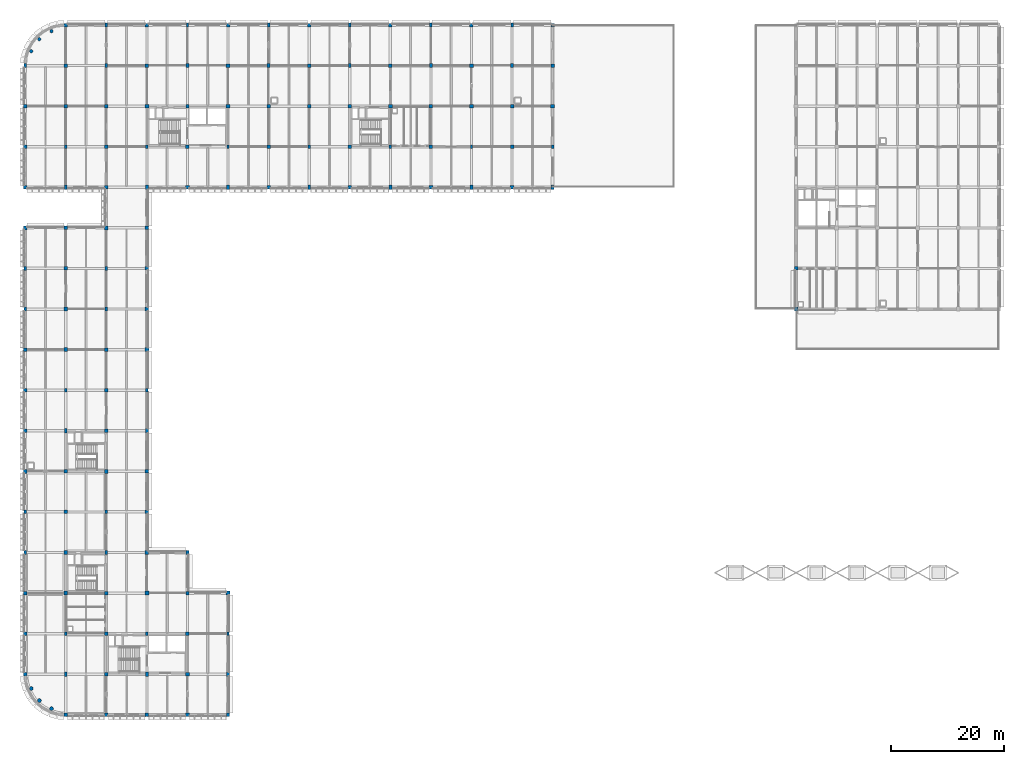
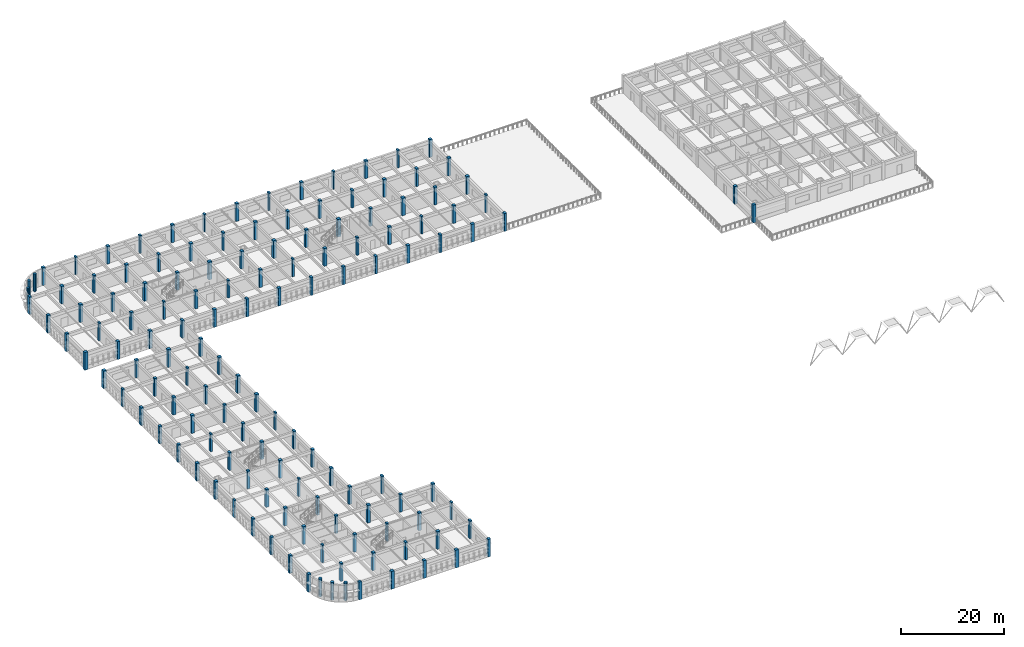
# One storey, part 1 of 38: 137 columns.
"""IFC4 building model written with IfcOpenShell, lengths in metres."""

from ifc_helpers import new_model, si_unit, direction, frame, origin, origin_2d, place, context, subcontext, project, spatial, rectangle, circle, extrude, material, material_profile, profile_set, type_object, element, save


model = new_model("IFC4")

# Units and contexts
model_context = context("Model", 3, precision=1e-05, world=origin(), true_north=direction((0.0, 1.0)))
body_context = subcontext(model_context, "Body", "Model", "MODEL_VIEW")
ifc_project = project(units=[si_unit("LENGTHUNIT", "METRE"), si_unit("AREAUNIT", "SQUARE_METRE"), si_unit("VOLUMEUNIT", "CUBIC_METRE"), si_unit("PLANEANGLEUNIT", "RADIAN"), si_unit("MASSUNIT", "GRAM", prefix="KILO")], contexts=[model_context])

# Site, building, storey
site_placement = place(None, origin())
site = spatial("IfcSite", under=ifc_project, at=site_placement, CompositionType="ELEMENT")
building_placement = place(site_placement, origin())
building = spatial("IfcBuilding", under=site, at=building_placement, Name="Thalmaran Polytechnic", CompositionType="ELEMENT")
storey_placement = place(building_placement, frame((0.0, 0.0, 18.60009765625)))
storey = spatial("IfcBuildingStorey", under=building, at=storey_placement, Name="L04", CompositionType="ELEMENT", Elevation=18.60009765625)

# Columns
ifc_material = material(Name="Concrete C40/50", Category="concrete")
ifc_material_profile_1 = material_profile(ifc_material, rectangle(XDim=0.64990234375, YDim=0.64990234375, at=origin_2d()), Name="RC 650x650")
ifc_profile_set_1 = profile_set([ifc_material_profile_1], Name="Concrete C40/50")
column_type_1 = type_object("IfcColumnType", Name="COL-C06", PredefinedType="COLUMN", material=ifc_profile_set_1)
for number, where, z_axis, x_axis, name in (
    (1, (0.0, 7.199951171875, 0.0), (0.0, 0.0, 1.0), (1.0, 0.0, 0.0), "Column C06 L04 (0,1)"),
    (2, (0.0, 50.39990234375, 0.0), (0.0, 0.0, 1.0), (1.0, 0.0, 0.0), "Column C06 L04 (0,7)"),
    (3, (0.0, 93.60009765625, 0.0), (0.0, 0.0, 1.0), (1.0, 0.0, 0.0), "Column C06 L04 (0,13)"),
    (4, (7.199951171875, 28.800048828125, 0.0), (0.0, 0.0, 1.0), (1.0, 0.0, 0.0), "Column C06 L04 (1,4)"),
    (5, (7.199951171875, 72.0, 0.0), (0.0, 0.0, 1.0), (1.0, 0.0, 0.0), "Column C06 L04 (1,10)"),
    (6, (7.199951171875, 115.199951171875, 0.0), (0.0, 0.0, 1.0), (1.0, 0.0, 0.0), "Column C06 L04 (1,16)"),
    (7, (14.39990234375, 7.199951171875, 0.0), (0.0, 0.0, 1.0), (1.0, 0.0, 0.0), "Column C06 L04 (2,1)"),
    (8, (14.39990234375, 50.39990234375, 0.0), (0.0, 0.0, 1.0), (1.0, 0.0, 0.0), "Column C06 L04 (2,7)"),
    (9, (14.39990234375, 93.60009765625, 0.0), (0.0, 0.0, 1.0), (1.0, 0.0, 0.0), "Column C06 L04 (2,13)"),
    (10, (21.60009765625, 28.800048828125, 0.0), (0.0, 0.0, 1.0), (1.0, 0.0, 0.0), "Column C06 L04 (3,4)"),
    (11, (21.60009765625, 72.0, 0.0), (0.0, 0.0, 1.0), (1.0, 0.0, 0.0), "Column C06 L04 (3,10)"),
    (12, (21.60009765625, 115.199951171875, 0.0), (0.0, 0.0, 1.0), (1.0, 0.0, 0.0), "Column C06 L04 (3,16)"),
    (13, (28.800048828125, 7.199951171875, 0.0), (0.0, 0.0, 1.0), (1.0, 0.0, 0.0), "Column C06 L04 (4,1)"),
    (14, (28.800048828125, 93.60009765625, 0.0), (0.0, 0.0, 1.0), (1.0, 0.0, 0.0), "Column C06 L04 (4,13)"),
    (15, (36.0, 115.199951171875, 0.0), (0.0, 0.0, 1.0), (1.0, 0.0, 0.0), "Column C06 L04 (5,16)"),
    (16, (43.199951171875, 93.60009765625, 0.0), (0.0, 0.0, 1.0), (1.0, 0.0, 0.0), "Column C06 L04 (6,13)"),
    (17, (50.39990234375, 115.199951171875, 0.0), (0.0, 0.0, 1.0), (1.0, 0.0, 0.0), "Column C06 L04 (7,16)"),
    (18, (57.60009765625, 93.60009765625, 0.0), (0.0, 0.0, 1.0), (1.0, 0.0, 0.0), "Column C06 L04 (8,13)"),
    (19, (64.800048828125, 115.199951171875, 0.0), (0.0, 0.0, 1.0), (1.0, 0.0, 0.0), "Column C06 L04 (9,16)"),
    (20, (72.0, 93.60009765625, 0.0), (0.0, 0.0, 1.0), (1.0, 0.0, 0.0), "Column C06 L04 (10,13)"),
    (21, (79.199951171875, 115.199951171875, 0.0), (0.0, 0.0, 1.0), (1.0, 0.0, 0.0), "Column C06 L04 (11,16)"),
    (22, (86.39990234375, 93.60009765625, 0.0), (0.0, 0.0, 1.0), (1.0, 0.0, 0.0), "Column C06 L04 (12,13)"),
    (23, (93.60009765625, 115.199951171875, 0.0), (0.0, 0.0, 1.0), (1.0, 0.0, 0.0), "Column C06 L04 (13,16)"),
    (24, (136.800048828125, 72.0, 0.0), (0.0, 0.0, 1.0), (1.0, 0.0, 0.0), "Column C06 L04 (19,10)"),
):
    element("IfcColumn", number, at=place(storey_placement, frame(where, z_axis=z_axis, x_axis=x_axis)), inside=storey, type_object=column_type_1, Name=name, PredefinedType="COLUMN", context=body_context, shape_type="SweptSolid", body=[
        extrude(rectangle(XDim=0.64990234375, YDim=0.64990234375, at=origin_2d()), origin(), (0.0, 0.0, 1.0), 4.199951171875),
    ])
ifc_material_profile_2 = material_profile(ifc_material, rectangle(XDim=0.60009765625, YDim=0.60009765625, at=origin_2d()), Name="RC 600x600")
ifc_profile_set_2 = profile_set([ifc_material_profile_2], Name="Concrete C40/50")
column_type_2 = type_object("IfcColumnType", Name="COL-C07", PredefinedType="COLUMN", material=ifc_profile_set_2)
for number, where, z_axis, x_axis, name in (
    (25, (0.0, 21.60009765625, 0.0), (0.0, 0.0, 1.0), (1.0, 0.0, 0.0), "Column C07 L04 (0,3)"),
    (26, (0.0, 64.800048828125, 0.0), (0.0, 0.0, 1.0), (1.0, 0.0, 0.0), "Column C07 L04 (0,9)"),
    (27, (0.0, 108.0, 0.0), (0.0, 0.0, 1.0), (1.0, 0.0, 0.0), "Column C07 L04 (0,15)"),
    (28, (7.199951171875, 0.0, 0.0), (0.0, 0.0, 1.0), (1.0, 0.0, 0.0), "Column C07 L04 (1,0)"),
    (29, (7.199951171875, 43.199951171875, 0.0), (0.0, 0.0, 1.0), (1.0, 0.0, 0.0), "Column C07 L04 (1,6)"),
    (30, (7.199951171875, 86.39990234375, 0.0), (0.0, 0.0, 1.0), (1.0, 0.0, 0.0), "Column C07 L04 (1,12)"),
    (31, (14.39990234375, 21.60009765625, 0.0), (0.0, 0.0, 1.0), (1.0, 0.0, 0.0), "Column C07 L04 (2,3)"),
    (32, (14.39990234375, 64.800048828125, 0.0), (0.0, 0.0, 1.0), (1.0, 0.0, 0.0), "Column C07 L04 (2,9)"),
    (33, (14.39990234375, 108.0, 0.0), (0.0, 0.0, 1.0), (1.0, 0.0, 0.0), "Column C07 L04 (2,15)"),
    (34, (21.60009765625, 0.0, 0.0), (0.0, 0.0, 1.0), (1.0, 0.0, 0.0), "Column C07 L04 (3,0)"),
    (35, (21.60009765625, 43.199951171875, 0.0), (0.0, 0.0, 1.0), (1.0, 0.0, 0.0), "Column C07 L04 (3,6)"),
    (36, (21.60009765625, 86.39990234375, 0.0), (0.0, 0.0, 1.0), (1.0, 0.0, 0.0), "Column C07 L04 (3,12)"),
    (37, (28.800048828125, 21.60009765625, 0.0), (0.0, 0.0, 1.0), (1.0, 0.0, 0.0), "Column C07 L04 (4,3)"),
    (38, (28.800048828125, 108.0, 0.0), (0.0, 0.0, 1.0), (1.0, 0.0, 0.0), "Column C07 L04 (4,15)"),
    (39, (36.0, 0.0, 0.0), (0.0, 0.0, 1.0), (1.0, 0.0, 0.0), "Column C07 L04 (5,0)"),
    (40, (43.199951171875, 108.0, 0.0), (0.0, 0.0, 1.0), (1.0, 0.0, 0.0), "Column C07 L04 (6,15)"),
    (41, (57.60009765625, 108.0, 0.0), (0.0, 0.0, 1.0), (1.0, 0.0, 0.0), "Column C07 L04 (8,15)"),
    (42, (72.0, 108.0, 0.0), (0.0, 0.0, 1.0), (1.0, 0.0, 0.0), "Column C07 L04 (10,15)"),
    (43, (86.39990234375, 108.0, 0.0), (0.0, 0.0, 1.0), (1.0, 0.0, 0.0), "Column C07 L04 (12,15)"),
):
    element("IfcColumn", number, at=place(storey_placement, frame(where, z_axis=z_axis, x_axis=x_axis)), inside=storey, type_object=column_type_2, Name=name, PredefinedType="COLUMN", context=body_context, shape_type="SweptSolid", body=[
        extrude(rectangle(XDim=0.60009765625, YDim=0.60009765625, at=origin_2d()), origin(), (0.0, 0.0, 1.0), 4.199951171875),
    ])
ifc_material_profile_3 = material_profile(ifc_material, rectangle(XDim=0.5, YDim=0.75, at=origin_2d()), Name="RC 500x750")
ifc_profile_set_3 = profile_set([ifc_material_profile_3], Name="Concrete C40/50")
column_type_3 = type_object("IfcColumnType", Name="COL-C13", PredefinedType="COLUMN", material=ifc_profile_set_3)
for number, where, z_axis, x_axis, name in (
    (44, (0.0, 28.800048828125, 0.0), (0.0, 0.0, 1.0), (1.0, 0.0, 0.0), "Column C13 L04 (0,4)"),
    (45, (0.0, 72.0, 0.0), (0.0, 0.0, 1.0), (1.0, 0.0, 0.0), "Column C13 L04 (0,10)"),
    (46, (0.0, 115.199951171875, 0.0), (0.0, 0.0, 1.0), (1.0, 0.0, 0.0), "Column C13 L04 (0,16)"),
    (47, (7.199951171875, 7.199951171875, 0.0), (0.0, 0.0, 1.0), (1.0, 0.0, 0.0), "Column C13 L04 (1,1)"),
    (48, (7.199951171875, 50.39990234375, 0.0), (0.0, 0.0, 1.0), (1.0, 0.0, 0.0), "Column C13 L04 (1,7)"),
    (49, (7.199951171875, 93.60009765625, 0.0), (0.0, 0.0, 1.0), (1.0, 0.0, 0.0), "Column C13 L04 (1,13)"),
    (50, (14.39990234375, 28.800048828125, 0.0), (0.0, 0.0, 1.0), (1.0, 0.0, 0.0), "Column C13 L04 (2,4)"),
    (51, (14.39990234375, 72.0, 0.0), (0.0, 0.0, 1.0), (1.0, 0.0, 0.0), "Column C13 L04 (2,10)"),
    (52, (14.39990234375, 115.199951171875, 0.0), (0.0, 0.0, 1.0), (1.0, 0.0, 0.0), "Column C13 L04 (2,16)"),
    (53, (21.60009765625, 7.199951171875, 0.0), (0.0, 0.0, 1.0), (1.0, 0.0, 0.0), "Column C13 L04 (3,1)"),
    (54, (21.60009765625, 50.39990234375, 0.0), (0.0, 0.0, 1.0), (1.0, 0.0, 0.0), "Column C13 L04 (3,7)"),
    (55, (21.60009765625, 93.60009765625, 0.0), (0.0, 0.0, 1.0), (1.0, 0.0, 0.0), "Column C13 L04 (3,13)"),
    (56, (28.800048828125, 28.800048828125, 0.0), (0.0, 0.0, 1.0), (1.0, 0.0, 0.0), "Column C13 L04 (4,4)"),
    (57, (28.800048828125, 115.199951171875, 0.0), (0.0, 0.0, 1.0), (1.0, 0.0, 0.0), "Column C13 L04 (4,16)"),
    (58, (36.0, 7.199951171875, 0.0), (0.0, 0.0, 1.0), (1.0, 0.0, 0.0), "Column C13 L04 (5,1)"),
    (59, (36.0, 93.60009765625, 0.0), (0.0, 0.0, 1.0), (1.0, 0.0, 0.0), "Column C13 L04 (5,13)"),
    (60, (43.199951171875, 115.199951171875, 0.0), (0.0, 0.0, 1.0), (1.0, 0.0, 0.0), "Column C13 L04 (6,16)"),
    (61, (50.39990234375, 93.60009765625, 0.0), (0.0, 0.0, 1.0), (1.0, 0.0, 0.0), "Column C13 L04 (7,13)"),
    (62, (57.60009765625, 115.199951171875, 0.0), (0.0, 0.0, 1.0), (1.0, 0.0, 0.0), "Column C13 L04 (8,16)"),
    (63, (64.800048828125, 93.60009765625, 0.0), (0.0, 0.0, 1.0), (1.0, 0.0, 0.0), "Column C13 L04 (9,13)"),
    (64, (72.0, 115.199951171875, 0.0), (0.0, 0.0, 1.0), (1.0, 0.0, 0.0), "Column C13 L04 (10,16)"),
    (65, (79.199951171875, 93.60009765625, 0.0), (0.0, 0.0, 1.0), (1.0, 0.0, 0.0), "Column C13 L04 (11,13)"),
    (66, (86.39990234375, 115.199951171875, 0.0), (0.0, 0.0, 1.0), (1.0, 0.0, 0.0), "Column C13 L04 (12,16)"),
    (67, (93.60009765625, 93.60009765625, 0.0), (0.0, 0.0, 1.0), (1.0, 0.0, 0.0), "Column C13 L04 (13,13)"),
):
    element("IfcColumn", number, at=place(storey_placement, frame(where, z_axis=z_axis, x_axis=x_axis)), inside=storey, type_object=column_type_3, Name=name, PredefinedType="COLUMN", context=body_context, shape_type="SweptSolid", body=[
        extrude(rectangle(XDim=0.5, YDim=0.75, at=origin_2d()), origin(), (0.0, 0.0, 1.0), 4.199951171875),
    ])
ifc_material_profile_4 = material_profile(ifc_material, circle(Radius=0.35009765625, at=origin_2d()), Name="RC 700 DIA")
ifc_profile_set_4 = profile_set([ifc_material_profile_4], Name="Concrete C40/50")
column_type_4 = type_object("IfcColumnType", Name="COL-C15", PredefinedType="COLUMN", material=ifc_profile_set_4)
for number, where, z_axis, x_axis, name in (
    (68, (1.083984375, 4.666748046875, 0.0), (0.0, 0.0, 1.0), (1.0, 0.0, 0.0), "Prow Column SWP1 L04"),
    (69, (2.51904296875, 2.51904296875, 0.0), (0.0, 0.0, 1.0), (1.0, 0.0, 0.0), "Prow Column SWP2 L04"),
    (70, (4.666748046875, 1.083984375, 0.0), (0.0, 0.0, 1.0), (1.0, 0.0, 0.0), "Prow Column SWP3 L04"),
):
    element("IfcColumn", number, at=place(storey_placement, frame(where, z_axis=z_axis, x_axis=x_axis)), inside=storey, type_object=column_type_4, Name=name, PredefinedType="COLUMN", context=body_context, shape_type="SweptSolid", body=[
        extrude(circle(Radius=0.35009765625, at=origin_2d()), origin(), (0.0, 0.0, 1.0), 4.199951171875),
    ])
ifc_material_profile_5 = material_profile(ifc_material, circle(Radius=0.300048828125, at=origin_2d()), Name="RC 600 DIA")
ifc_profile_set_5 = profile_set([ifc_material_profile_5], Name="Concrete C40/50")
column_type_5 = type_object("IfcColumnType", Name="COL-C16", PredefinedType="COLUMN", material=ifc_profile_set_5)
for number, where, z_axis, x_axis, name in (
    (71, (4.666748046875, 121.316162109375, 0.0), (0.0, 0.0, 1.0), (1.0, 0.0, 0.0), "Prow Column NWP1 L04"),
    (72, (2.51904296875, 119.881103515625, 0.0), (0.0, 0.0, 1.0), (1.0, 0.0, 0.0), "Prow Column NWP2 L04"),
    (73, (1.083984375, 117.7333984375, 0.0), (0.0, 0.0, 1.0), (1.0, 0.0, 0.0), "Prow Column NWP3 L04"),
):
    element("IfcColumn", number, at=place(storey_placement, frame(where, z_axis=z_axis, x_axis=x_axis)), inside=storey, type_object=column_type_5, Name=name, PredefinedType="COLUMN", context=body_context, shape_type="SweptSolid", body=[
        extrude(circle(Radius=0.300048828125, at=origin_2d()), origin(), (0.0, 0.0, 1.0), 4.199951171875),
    ])
ifc_material_profile_6 = material_profile(ifc_material, rectangle(XDim=0.679931640625, YDim=0.679931640625, at=origin_2d()), Name="RC 680x680")
ifc_profile_set_6 = profile_set([ifc_material_profile_6], Name="Concrete C40/50")
column_type_6 = type_object("IfcColumnType", Name="COL-ZC05", PredefinedType="COLUMN", material=ifc_profile_set_6)
for number, where, z_axis, x_axis, name in (
    (74, (0.0, 43.199951171875, 0.0), (0.0, 0.0, 1.0), (1.0, 0.0, 0.0), "Column ZC05 L04 (0,6)"),
    (75, (0.0, 86.39990234375, 0.0), (0.0, 0.0, 1.0), (1.0, 0.0, 0.0), "Column ZC05 L04 (0,12)"),
    (76, (7.199951171875, 21.60009765625, 0.0), (0.0, 0.0, 1.0), (1.0, 0.0, 0.0), "Column ZC05 L04 (1,3)"),
    (77, (7.199951171875, 64.800048828125, 0.0), (0.0, 0.0, 1.0), (1.0, 0.0, 0.0), "Column ZC05 L04 (1,9)"),
    (78, (7.199951171875, 108.0, 0.0), (0.0, 0.0, 1.0), (1.0, 0.0, 0.0), "Column ZC05 L04 (1,15)"),
    (79, (14.39990234375, 0.0, 0.0), (0.0, 0.0, 1.0), (1.0, 0.0, 0.0), "Column ZC05 L04 (2,0)"),
    (80, (14.39990234375, 43.199951171875, 0.0), (0.0, 0.0, 1.0), (1.0, 0.0, 0.0), "Column ZC05 L04 (2,6)"),
    (81, (14.39990234375, 86.39990234375, 0.0), (0.0, 0.0, 1.0), (1.0, 0.0, 0.0), "Column ZC05 L04 (2,12)"),
    (82, (21.60009765625, 21.60009765625, 0.0), (0.0, 0.0, 1.0), (1.0, 0.0, 0.0), "Column ZC05 L04 (3,3)"),
    (83, (21.60009765625, 64.800048828125, 0.0), (0.0, 0.0, 1.0), (1.0, 0.0, 0.0), "Column ZC05 L04 (3,9)"),
    (84, (21.60009765625, 108.0, 0.0), (0.0, 0.0, 1.0), (1.0, 0.0, 0.0), "Column ZC05 L04 (3,15)"),
    (85, (28.800048828125, 0.0, 0.0), (0.0, 0.0, 1.0), (1.0, 0.0, 0.0), "Column ZC05 L04 (4,0)"),
    (86, (36.0, 21.60009765625, 0.0), (0.0, 0.0, 1.0), (1.0, 0.0, 0.0), "Column ZC05 L04 (5,3)"),
    (87, (36.0, 108.0, 0.0), (0.0, 0.0, 1.0), (1.0, 0.0, 0.0), "Column ZC05 L04 (5,15)"),
    (88, (50.39990234375, 108.0, 0.0), (0.0, 0.0, 1.0), (1.0, 0.0, 0.0), "Column ZC05 L04 (7,15)"),
    (89, (64.800048828125, 108.0, 0.0), (0.0, 0.0, 1.0), (1.0, 0.0, 0.0), "Column ZC05 L04 (9,15)"),
    (90, (79.199951171875, 108.0, 0.0), (0.0, 0.0, 1.0), (1.0, 0.0, 0.0), "Column ZC05 L04 (11,15)"),
    (91, (93.60009765625, 108.0, 0.0), (0.0, 0.0, 1.0), (1.0, 0.0, 0.0), "Column ZC05 L04 (13,15)"),
):
    element("IfcColumn", number, at=place(storey_placement, frame(where, z_axis=z_axis, x_axis=x_axis)), inside=storey, type_object=column_type_6, Name=name, PredefinedType="COLUMN", context=body_context, shape_type="SweptSolid", body=[
        extrude(rectangle(XDim=0.679931640625, YDim=0.679931640625, at=origin_2d()), origin(), (0.0, 0.0, 1.0), 4.199951171875),
    ])
ifc_material_profile_7 = material_profile(ifc_material, rectangle(XDim=0.6201171875, YDim=0.6201171875, at=origin_2d()), Name="RC 620x620")
ifc_profile_set_7 = profile_set([ifc_material_profile_7], Name="Concrete C40/50")
column_type_7 = type_object("IfcColumnType", Name="COL-ZC06", PredefinedType="COLUMN", material=ifc_profile_set_7)
for number, where, z_axis, x_axis, name in (
    (92, (0.0, 14.39990234375, 0.0), (0.0, 0.0, 1.0), (1.0, 0.0, 0.0), "Column ZC06 L04 (0,2)"),
    (93, (0.0, 57.60009765625, 0.0), (0.0, 0.0, 1.0), (1.0, 0.0, 0.0), "Column ZC06 L04 (0,8)"),
    (94, (0.0, 100.800048828125, 0.0), (0.0, 0.0, 1.0), (1.0, 0.0, 0.0), "Column ZC06 L04 (0,14)"),
    (95, (7.199951171875, 36.0, 0.0), (0.0, 0.0, 1.0), (1.0, 0.0, 0.0), "Column ZC06 L04 (1,5)"),
    (96, (7.199951171875, 79.199951171875, 0.0), (0.0, 0.0, 1.0), (1.0, 0.0, 0.0), "Column ZC06 L04 (1,11)"),
    (97, (7.199951171875, 122.39990234375, 0.0), (0.0, 0.0, 1.0), (1.0, 0.0, 0.0), "Column ZC06 L04 (1,17)"),
    (98, (14.39990234375, 14.39990234375, 0.0), (0.0, 0.0, 1.0), (1.0, 0.0, 0.0), "Column ZC06 L04 (2,2)"),
    (99, (14.39990234375, 57.60009765625, 0.0), (0.0, 0.0, 1.0), (1.0, 0.0, 0.0), "Column ZC06 L04 (2,8)"),
    (100, (14.39990234375, 100.800048828125, 0.0), (0.0, 0.0, 1.0), (1.0, 0.0, 0.0), "Column ZC06 L04 (2,14)"),
    (101, (21.60009765625, 36.0, 0.0), (0.0, 0.0, 1.0), (1.0, 0.0, 0.0), "Column ZC06 L04 (3,5)"),
    (102, (21.60009765625, 79.199951171875, 0.0), (0.0, 0.0, 1.0), (1.0, 0.0, 0.0), "Column ZC06 L04 (3,11)"),
    (103, (21.60009765625, 122.39990234375, 0.0), (0.0, 0.0, 1.0), (1.0, 0.0, 0.0), "Column ZC06 L04 (3,17)"),
    (104, (28.800048828125, 14.39990234375, 0.0), (0.0, 0.0, 1.0), (1.0, 0.0, 0.0), "Column ZC06 L04 (4,2)"),
    (105, (28.800048828125, 100.800048828125, 0.0), (0.0, 0.0, 1.0), (1.0, 0.0, 0.0), "Column ZC06 L04 (4,14)"),
    (106, (36.0, 122.39990234375, 0.0), (0.0, 0.0, 1.0), (1.0, 0.0, 0.0), "Column ZC06 L04 (5,17)"),
    (107, (43.199951171875, 100.800048828125, 0.0), (0.0, 0.0, 1.0), (1.0, 0.0, 0.0), "Column ZC06 L04 (6,14)"),
    (108, (50.39990234375, 122.39990234375, 0.0), (0.0, 0.0, 1.0), (1.0, 0.0, 0.0), "Column ZC06 L04 (7,17)"),
    (109, (57.60009765625, 100.800048828125, 0.0), (0.0, 0.0, 1.0), (1.0, 0.0, 0.0), "Column ZC06 L04 (8,14)"),
    (110, (64.800048828125, 122.39990234375, 0.0), (0.0, 0.0, 1.0), (1.0, 0.0, 0.0), "Column ZC06 L04 (9,17)"),
    (111, (72.0, 100.800048828125, 0.0), (0.0, 0.0, 1.0), (1.0, 0.0, 0.0), "Column ZC06 L04 (10,14)"),
    (112, (79.199951171875, 122.39990234375, 0.0), (0.0, 0.0, 1.0), (1.0, 0.0, 0.0), "Column ZC06 L04 (11,17)"),
    (113, (86.39990234375, 100.800048828125, 0.0), (0.0, 0.0, 1.0), (1.0, 0.0, 0.0), "Column ZC06 L04 (12,14)"),
    (114, (93.60009765625, 122.39990234375, 0.0), (0.0, 0.0, 1.0), (1.0, 0.0, 0.0), "Column ZC06 L04 (13,17)"),
    (115, (136.800048828125, 79.199951171875, 0.0), (0.0, 0.0, 1.0), (1.0, 0.0, 0.0), "Column ZC06 L04 (19,11)"),
):
    element("IfcColumn", number, at=place(storey_placement, frame(where, z_axis=z_axis, x_axis=x_axis)), inside=storey, type_object=column_type_7, Name=name, PredefinedType="COLUMN", context=body_context, shape_type="SweptSolid", body=[
        extrude(rectangle(XDim=0.6201171875, YDim=0.6201171875, at=origin_2d()), origin(), (0.0, 0.0, 1.0), 4.199951171875),
    ])
ifc_material_profile_8 = material_profile(ifc_material, rectangle(XDim=0.419921875, YDim=0.639892578125, at=origin_2d()), Name="RC 420x640")
ifc_profile_set_8 = profile_set([ifc_material_profile_8], Name="Concrete C40/50")
column_type_8 = type_object("IfcColumnType", Name="COL-ZC10", PredefinedType="PILASTER", material=ifc_profile_set_8)
for number, where, z_axis, x_axis, name in (
    (116, (0.0, 36.0, 0.0), (0.0, 0.0, 1.0), (1.0, 0.0, 0.0), "Column ZPL1 L04 (0,5)"),
    (117, (0.0, 79.199951171875, 0.0), (0.0, 0.0, 1.0), (1.0, 0.0, 0.0), "Column ZPL1 L04 (0,11)"),
    (118, (7.199951171875, 14.39990234375, 0.0), (0.0, 0.0, 1.0), (1.0, 0.0, 0.0), "Column ZPL1 L04 (1,2)"),
    (119, (7.199951171875, 57.60009765625, 0.0), (0.0, 0.0, 1.0), (1.0, 0.0, 0.0), "Column ZPL1 L04 (1,8)"),
    (120, (7.199951171875, 100.800048828125, 0.0), (0.0, 0.0, 1.0), (1.0, 0.0, 0.0), "Column ZPL1 L04 (1,14)"),
    (121, (14.39990234375, 36.0, 0.0), (0.0, 0.0, 1.0), (1.0, 0.0, 0.0), "Column ZPL1 L04 (2,5)"),
    (122, (14.39990234375, 79.199951171875, 0.0), (0.0, 0.0, 1.0), (1.0, 0.0, 0.0), "Column ZPL1 L04 (2,11)"),
    (123, (14.39990234375, 122.39990234375, 0.0), (0.0, 0.0, 1.0), (1.0, 0.0, 0.0), "Column ZPL1 L04 (2,17)"),
    (124, (21.60009765625, 14.39990234375, 0.0), (0.0, 0.0, 1.0), (1.0, 0.0, 0.0), "Column ZPL1 L04 (3,2)"),
    (125, (21.60009765625, 57.60009765625, 0.0), (0.0, 0.0, 1.0), (1.0, 0.0, 0.0), "Column ZPL1 L04 (3,8)"),
    (126, (21.60009765625, 100.800048828125, 0.0), (0.0, 0.0, 1.0), (1.0, 0.0, 0.0), "Column ZPL1 L04 (3,14)"),
    (127, (28.800048828125, 122.39990234375, 0.0), (0.0, 0.0, 1.0), (1.0, 0.0, 0.0), "Column ZPL1 L04 (4,17)"),
    (128, (36.0, 14.39990234375, 0.0), (0.0, 0.0, 1.0), (1.0, 0.0, 0.0), "Column ZPL1 L04 (5,2)"),
    (129, (36.0, 100.800048828125, 0.0), (0.0, 0.0, 1.0), (1.0, 0.0, 0.0), "Column ZPL1 L04 (5,14)"),
    (130, (43.199951171875, 122.39990234375, 0.0), (0.0, 0.0, 1.0), (1.0, 0.0, 0.0), "Column ZPL1 L04 (6,17)"),
    (131, (50.39990234375, 100.800048828125, 0.0), (0.0, 0.0, 1.0), (1.0, 0.0, 0.0), "Column ZPL1 L04 (7,14)"),
    (132, (57.60009765625, 122.39990234375, 0.0), (0.0, 0.0, 1.0), (1.0, 0.0, 0.0), "Column ZPL1 L04 (8,17)"),
    (133, (64.800048828125, 100.800048828125, 0.0), (0.0, 0.0, 1.0), (1.0, 0.0, 0.0), "Column ZPL1 L04 (9,14)"),
    (134, (72.0, 122.39990234375, 0.0), (0.0, 0.0, 1.0), (1.0, 0.0, 0.0), "Column ZPL1 L04 (10,17)"),
    (135, (79.199951171875, 100.800048828125, 0.0), (0.0, 0.0, 1.0), (1.0, 0.0, 0.0), "Column ZPL1 L04 (11,14)"),
    (136, (86.39990234375, 122.39990234375, 0.0), (0.0, 0.0, 1.0), (1.0, 0.0, 0.0), "Column ZPL1 L04 (12,17)"),
    (137, (93.60009765625, 100.800048828125, 0.0), (0.0, 0.0, 1.0), (1.0, 0.0, 0.0), "Column ZPL1 L04 (13,14)"),
):
    element("IfcColumn", number, at=place(storey_placement, frame(where, z_axis=z_axis, x_axis=x_axis)), inside=storey, type_object=column_type_8, Name=name, PredefinedType="PILASTER", context=body_context, shape_type="SweptSolid", body=[
        extrude(rectangle(XDim=0.419921875, YDim=0.639892578125, at=origin_2d()), origin(), (0.0, 0.0, 1.0), 4.199951171875),
    ])

save(model, "model.ifc")
